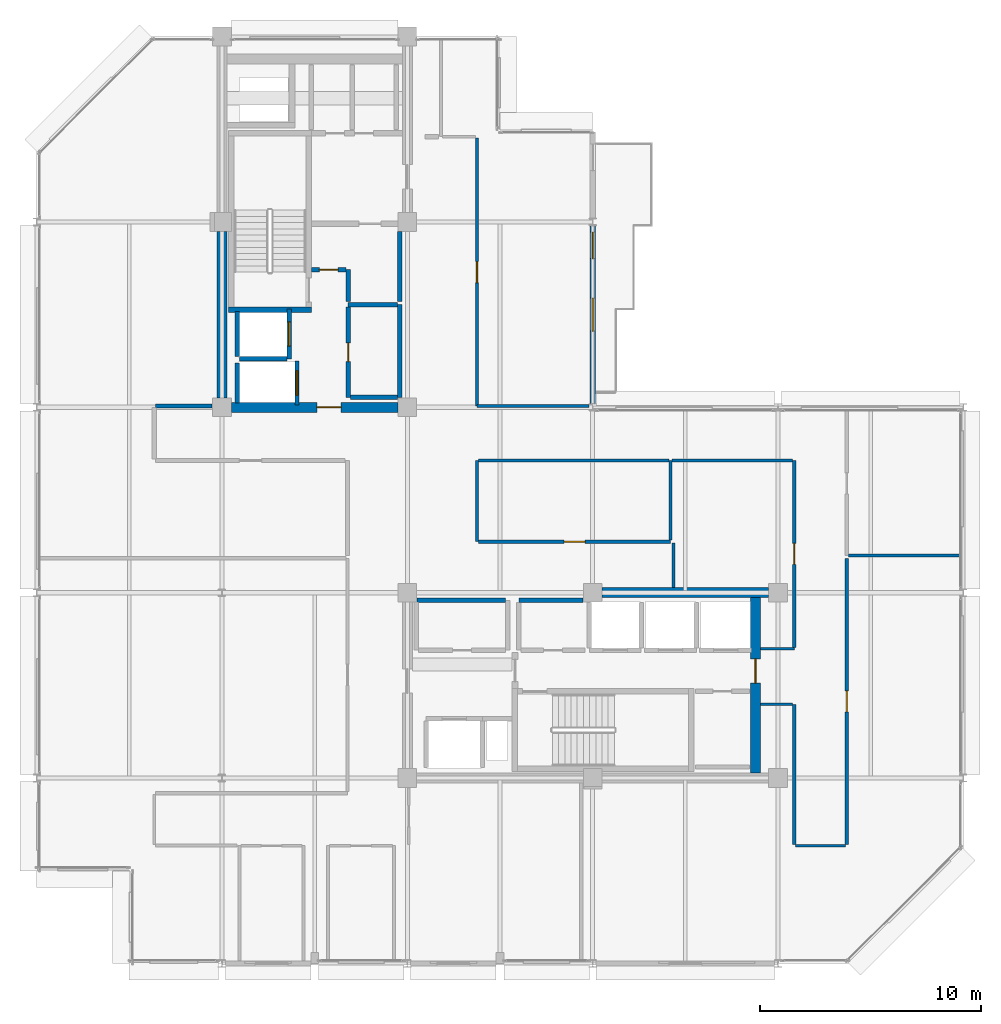
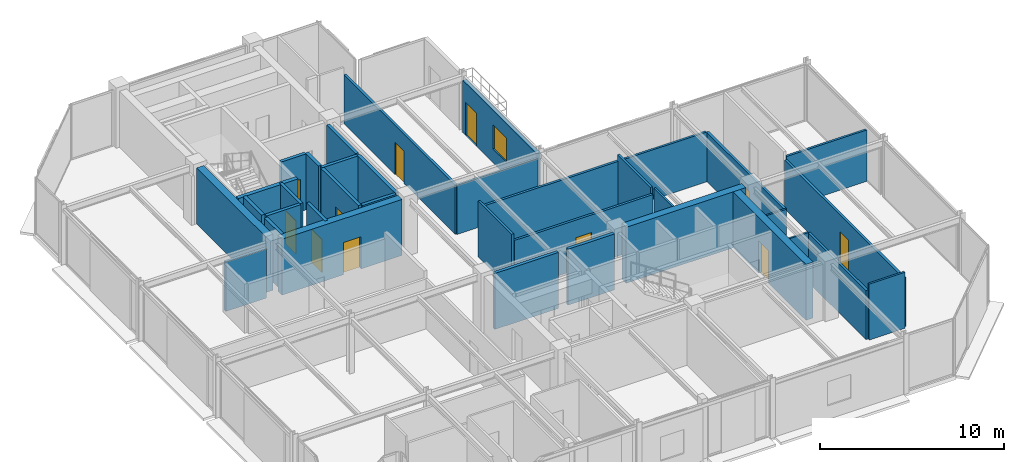
# One storey, part 22 of 27: 36 walls, 11 doors, 1 window, 12 openings.
"""IFC4 building model written with IfcOpenShell, lengths in metres."""

from ifc_helpers import new_model, si_unit, direction, frame, frame_2d, origin, place, context, subcontext, project, spatial, rectangle, extrude, material, layer, layer_set, type_object, element, fill, save


model = new_model("IFC4")

# Units and contexts
model_context = context("Model", 3, precision=1e-05, world=origin(), true_north=direction((0.0, 1.0)))
body_context = subcontext(model_context, "Body", "Model", "MODEL_VIEW")
ifc_project = project(units=[si_unit("LENGTHUNIT", "METRE"), si_unit("AREAUNIT", "SQUARE_METRE"), si_unit("VOLUMEUNIT", "CUBIC_METRE"), si_unit("PLANEANGLEUNIT", "RADIAN"), si_unit("MASSUNIT", "GRAM", prefix="KILO")], contexts=[model_context])

# Site, building, storey
site_placement = place(None, origin())
site = spatial("IfcSite", under=ifc_project, at=site_placement, CompositionType="ELEMENT")
building_placement = place(site_placement, origin())
building = spatial("IfcBuilding", under=site, at=building_placement, Name="Nerrivon Quay Data Exchange", CompositionType="ELEMENT")
storey_placement = place(building_placement, frame((0.0, 0.0, 254.199951171875)))
storey = spatial("IfcBuildingStorey", under=building, at=storey_placement, Name="L60", CompositionType="ELEMENT", Elevation=254.199951171875)

# Wall, openings, door, window
ifc_material_1 = material(Name="Architectural terracotta precast concrete N50 (50 MPa)", Category="masonry")
ifc_layer_1 = layer(ifc_material_1, 0.239990234375)
ifc_layer_set_1 = layer_set([ifc_layer_1], Name="Architectural terracotta precast concrete N50 (50 MPa)")
wall_type_1 = type_object("IfcWallType", Name="EW-PREC-240", PredefinedType="STANDARD", material=ifc_layer_set_1)
wall_1_placement = place(storey_placement, frame((25.199951171875, 33.4365234375, 0.0), z_axis=(0.0, 0.0, 1.0), x_axis=(0.0, -1.0, 0.0)))
wall_1 = element("IfcWall", 1, at=wall_1_placement, inside=storey, type_object=wall_type_1, Name="L60 Terrace Host Wall 23", PredefinedType="STANDARD", context=body_context, shape_type="SweptSolid", body=[
    extrude(rectangle(XDim=8.072998046875, YDim=0.239990234375, at=frame_2d((4.03662109375, 0.0))), origin(), (0.0, 0.0, 1.0), 3.47509765625),
])
opening_1_placement = place(wall_1_placement, frame((0.300048828125, 0.0, 0.0)))
opening_1 = element("IfcOpeningElement", 2, at=opening_1_placement, cuts=wall_1, Name="Opening TD1", PredefinedType="OPENING", context=body_context, shape_type="SweptSolid", body=[
    extrude(rectangle(XDim=1.199951171875, YDim=2.199951171875, at=frame_2d((0.60009765625, 1.10009765625))), frame((0.0, 0.1298828125, 0.0), z_axis=(0.0, -1.0, 0.0), x_axis=(1.0, 0.0, 0.0)), (0.0, 0.0, 1.0), 0.260009765625),
])
opening_2_placement = place(wall_1_placement, frame((3.28662109375, 0.0, 0.89990234375)))
opening_2 = element("IfcOpeningElement", 3, at=opening_2_placement, cuts=wall_1, Name="Opening WN4", PredefinedType="OPENING", context=body_context, shape_type="SweptSolid", body=[
    extrude(rectangle(XDim=1.5, YDim=1.60009765625, at=frame_2d((0.75, 0.800048828125))), frame((0.0, 0.1298828125, 0.0), z_axis=(0.0, -1.0, 0.0), x_axis=(1.0, 0.0, 0.0)), (0.0, 0.0, 1.0), 0.260009765625),
])
ifc_material_2 = material(Name="Double-glazed low-E solar control glass", Category="glass")
door_type_1 = type_object("IfcDoorType", Name="DR-TERR-1200x2200", OperationType="NOTDEFINED", PredefinedType="DOOR", material=ifc_material_2)
door_1_placement = place(opening_1_placement, origin())
door_1 = element("IfcDoor", 4, at=door_1_placement, inside=storey, type_object=door_type_1, Name="L60 Outdoor Terrace Access Door 23", OperationType="SINGLE_SWING_RIGHT", OverallHeight=2.199951171875, OverallWidth=1.199951171875, PredefinedType="DOOR", context=body_context, shape_type="SweptSolid", body=[
    extrude(rectangle(XDim=1.199951171875, YDim=2.199951171875, at=frame_2d((0.60009765625, 1.10009765625))), frame((0.0, 0.02490234375, 0.0), z_axis=(0.0, -1.0, 0.0), x_axis=(1.0, 0.0, 0.0)), (0.0, 0.0, 1.0), 0.050048828125),
])
fill(opening_1, door_1)
window_type = type_object("IfcWindowType", Name="WIN-W4-1500x1600", PartitioningType="SINGLE_PANEL", PredefinedType="WINDOW", material=ifc_material_2)
window_placement = place(opening_2_placement, origin())
window = element("IfcWindow", 5, at=window_placement, inside=storey, type_object=window_type, Name="L60 Terrace Side Window 23", OverallHeight=1.60009765625, OverallWidth=1.5, PartitioningType="SINGLE_PANEL", PredefinedType="WINDOW", context=body_context, shape_type="SweptSolid", body=[
    extrude(rectangle(XDim=1.5, YDim=1.60009765625, at=frame_2d((0.75, 0.800048828125))), frame((0.0, 0.030029296875, 0.0), z_axis=(0.0, -1.0, 0.0), x_axis=(1.0, 0.0, 0.0)), (0.0, 0.0, 1.0), 0.06005859375),
])
fill(opening_2, window)

# Wall
ifc_material_3 = material(Name="Concrete N50 (50 MPa)", Category="concrete")
ifc_layer_2 = layer(ifc_material_3, 0.449951171875)
ifc_layer_set_2 = layer_set([ifc_layer_2], Name="Concrete N50 (50 MPa)")
wall_type_2 = type_object("IfcWallType", Name="WALL-CW-550", PredefinedType="SHEAR", material=ifc_layer_set_2)
wall_2_placement = place(storey_placement, frame((8.39990234375, 25.625, 0.0), z_axis=(0.0, 0.0, 1.0), x_axis=(0.0, 1.0, 0.0)))
element("IfcWall", 6, at=wall_2_placement, inside=storey, type_object=wall_type_2, Name="L60 West Split-Core Shear Wall WCW-W1", PredefinedType="SHEAR", context=body_context, shape_type="SweptSolid", body=[
    extrude(rectangle(XDim=7.550048828125, YDim=0.449951171875, at=frame_2d((3.77490234375, 0.0))), origin(), (0.0, 0.0, 1.0), 3.72509765625),
])

# Wall, opening, door
wall_3_placement = place(storey_placement, frame((8.824951171875, 25.199951171875, 0.0), z_axis=(0.0, 0.0, 1.0), x_axis=(1.0, 0.0, 0.0)))
wall_3 = element("IfcWall", 7, at=wall_3_placement, inside=storey, type_object=wall_type_2, Name="L60 West Split-Core Shear Wall WCW-S1", PredefinedType="SHEAR", context=body_context, shape_type="SweptSolid", body=[
    extrude(rectangle(XDim=7.550048828125, YDim=0.449951171875, at=frame_2d((3.77490234375, 0.0))), origin(), (0.0, 0.0, 1.0), 3.72509765625),
])
opening_3_placement = place(wall_3_placement, frame((3.875, 0.0, 0.0)))
opening_3 = element("IfcOpeningElement", 8, at=opening_3_placement, cuts=wall_3, Name="Opening FD-120", PredefinedType="OPENING", context=body_context, shape_type="SweptSolid", body=[
    extrude(rectangle(XDim=1.10009765625, YDim=2.14990234375, at=frame_2d((0.550048828125, 1.074951171875))), frame((0.0, 0.23486328125, 0.0), z_axis=(0.0, -1.0, 0.0), x_axis=(1.0, 0.0, 0.0)), (0.0, 0.0, 1.0), 0.469970703125),
])
ifc_material_4 = material(Name="Powder-coated galvanized steel sheet", Category="steel")
door_type_2 = type_object("IfcDoorType", Name="DR-FD120-1100", OperationType="NOTDEFINED", PredefinedType="DOOR", material=ifc_material_4)
door_2_placement = place(opening_3_placement, origin())
door_2 = element("IfcDoor", 9, at=door_2_placement, inside=storey, type_object=door_type_2, Name="L60 West Core Lobby Fire Door", OperationType="SINGLE_SWING_RIGHT", OverallHeight=2.14990234375, OverallWidth=1.10009765625, PredefinedType="DOOR", context=body_context, shape_type="SweptSolid", body=[
    extrude(rectangle(XDim=1.10009765625, YDim=2.14990234375, at=frame_2d((0.550048828125, 1.074951171875))), frame((0.0, 0.02490234375, 0.0), z_axis=(0.0, -1.0, 0.0), x_axis=(1.0, 0.0, 0.0)), (0.0, 0.0, 1.0), 0.050048828125),
])
fill(opening_3, door_2)

wall_4_placement = place(storey_placement, frame((32.574951171875, 8.625, 0.0), z_axis=(0.0, 0.0, 1.0), x_axis=(0.0, 1.0, 0.0)))
wall_4 = element("IfcWall", 10, at=wall_4_placement, inside=storey, type_object=wall_type_2, Name="L60 East Split-Core Shear Wall ECW-E1", PredefinedType="SHEAR", context=body_context, shape_type="SweptSolid", body=[
    extrude(rectangle(XDim=7.949951171875, YDim=0.449951171875, at=frame_2d((3.97509765625, 0.0))), origin(), (0.0, 0.0, 1.0), 3.72509765625),
])
opening_4_placement = place(wall_4_placement, frame((4.074951171875, 0.0, 0.0)))
opening_4 = element("IfcOpeningElement", 11, at=opening_4_placement, cuts=wall_4, Name="Opening FD-120", PredefinedType="OPENING", context=body_context, shape_type="SweptSolid", body=[
    extrude(rectangle(XDim=1.10009765625, YDim=2.14990234375, at=frame_2d((0.550048828125, 1.074951171875))), frame((0.0, 0.23486328125, 0.0), z_axis=(0.0, -1.0, 0.0), x_axis=(1.0, 0.0, 0.0)), (0.0, 0.0, 1.0), 0.469970703125),
])
door_3_placement = place(opening_4_placement, origin())
door_3 = element("IfcDoor", 12, at=door_3_placement, inside=storey, type_object=door_type_2, Name="L60 East Core Lobby Fire Door", OperationType="SINGLE_SWING_LEFT", OverallHeight=2.14990234375, OverallWidth=1.10009765625, PredefinedType="DOOR", context=body_context, shape_type="SweptSolid", body=[
    extrude(rectangle(XDim=1.10009765625, YDim=2.14990234375, at=frame_2d((0.550048828125, 1.074951171875))), frame((0.0, 0.02490234375, 0.0), z_axis=(0.0, -1.0, 0.0), x_axis=(1.0, 0.0, 0.0)), (0.0, 0.0, 1.0), 0.050048828125),
])
fill(opening_4, door_3)

# Wall
wall_5_placement = place(storey_placement, frame((25.625, 16.800048828125, 0.0), z_axis=(0.0, 0.0, 1.0), x_axis=(1.0, 0.0, 0.0)))
element("IfcWall", 13, at=wall_5_placement, inside=storey, type_object=wall_type_2, Name="L60 East Split-Core Shear Wall ECW-N1", PredefinedType="SHEAR", context=body_context, shape_type="SweptSolid", body=[
    extrude(rectangle(XDim=7.550048828125, YDim=0.449951171875, at=frame_2d((3.77490234375, 0.0))), origin(), (0.0, 0.0, 1.0), 3.72509765625),
])

# Wall, opening, door
ifc_material_5 = material(Name="Gypsum plasterboard on cold-formed framing", Category="gypsum")
ifc_layer_3 = layer(ifc_material_5, 0.199951171875)
ifc_layer_set_3 = layer_set([ifc_layer_3], Name="Gypsum plasterboard on cold-formed framing")
wall_type_3 = type_object("IfcWallType", Name="WALL-FW-200", PredefinedType="PARTITIONING", material=ifc_layer_set_3)
wall_6_placement = place(storey_placement, frame((11.449951171875, 27.39990234375, 0.0), z_axis=(0.0, 0.0, 1.0), x_axis=(0.0, 1.0, 0.0)))
wall_6 = element("IfcWall", 14, at=wall_6_placement, inside=storey, type_object=wall_type_3, Name="L60 Lift Front Wall FFL-1", PredefinedType="PARTITIONING", context=body_context, shape_type="SweptSolid", body=[
    extrude(rectangle(XDim=2.25, YDim=0.199951171875, at=frame_2d((1.125, 0.0))), origin(), (0.0, 0.0, 1.0), 3.72509765625),
])
opening_5_placement = place(wall_6_placement, frame((0.574951171875, 0.0, 0.0)))
opening_5 = element("IfcOpeningElement", 15, at=opening_5_placement, cuts=wall_6, Name="Opening LD-120", PredefinedType="OPENING", context=body_context, shape_type="SweptSolid", body=[
    extrude(rectangle(XDim=1.10009765625, YDim=2.199951171875, at=frame_2d((0.550048828125, 1.10009765625))), frame((0.0, 0.10986328125, 0.0), z_axis=(0.0, -1.0, 0.0), x_axis=(1.0, 0.0, 0.0)), (0.0, 0.0, 1.0), 0.219970703125),
])
door_type_3 = type_object("IfcDoorType", Name="DR-LIFT-LD120", OperationType="DOUBLE_DOOR_SLIDING", PredefinedType="DOOR", material=ifc_material_4)
door_4_placement = place(opening_5_placement, origin())
door_4 = element("IfcDoor", 16, at=door_4_placement, inside=storey, type_object=door_type_3, Name="L60 Lift Landing Sliding Door FFL-1", OperationType="DOUBLE_DOOR_SLIDING", OverallHeight=2.199951171875, OverallWidth=1.10009765625, PredefinedType="DOOR", context=body_context, shape_type="SweptSolid", body=[
    extrude(rectangle(XDim=1.10009765625, YDim=2.199951171875, at=frame_2d((0.550048828125, 1.10009765625))), frame((0.0, 0.02490234375, 0.0), z_axis=(0.0, -1.0, 0.0), x_axis=(1.0, 0.0, 0.0)), (0.0, 0.0, 1.0), 0.050048828125),
])
fill(opening_5, door_4)

# Walls
wall_7_placement = place(storey_placement, frame((9.10009765625, 27.5, 0.0), z_axis=(0.0, 0.0, 1.0), x_axis=(0.0, 1.0, 0.0)))
element("IfcWall", 17, at=wall_7_placement, inside=storey, type_object=wall_type_3, Name="L60 Lift Shaft Wall FFL-1 WEST", PredefinedType="PARTITIONING", context=body_context, shape_type="SweptSolid", body=[
    extrude(rectangle(XDim=2.050048828125, YDim=0.199951171875, at=frame_2d((1.02490234375, 0.0))), origin(), (0.0, 0.0, 1.0), 3.72509765625),
])
wall_8_placement = place(storey_placement, frame((9.199951171875, 27.39990234375, 0.0), z_axis=(0.0, 0.0, 1.0), x_axis=(1.0, 0.0, 0.0)))
element("IfcWall", 18, at=wall_8_placement, inside=storey, type_object=wall_type_3, Name="L60 Lift Shaft Wall FFL-1 SOUTH", PredefinedType="PARTITIONING", context=body_context, shape_type="SweptSolid", body=[
    extrude(rectangle(XDim=2.150146484375, YDim=0.199951171875, at=frame_2d((1.0751953125, 0.0))), origin(), (0.0, 0.0, 1.0), 3.72509765625),
])

# Wall, opening, door
wall_9_placement = place(storey_placement, frame((11.800048828125, 25.300048828125, 0.0), z_axis=(0.0, 0.0, 1.0), x_axis=(0.0, 1.0, 0.0)))
wall_9 = element("IfcWall", 19, at=wall_9_placement, inside=storey, type_object=wall_type_3, Name="L60 Lift Front Wall SVL-1", PredefinedType="PARTITIONING", context=body_context, shape_type="SweptSolid", body=[
    extrude(rectangle(XDim=2.0, YDim=0.199951171875, at=frame_2d((1.0, 0.0))), origin(), (0.0, 0.0, 1.0), 3.72509765625),
])
opening_6_placement = place(wall_9_placement, frame((0.449951171875, 0.0, 0.0)))
opening_6 = element("IfcOpeningElement", 20, at=opening_6_placement, cuts=wall_9, Name="Opening LD-120", PredefinedType="OPENING", context=body_context, shape_type="SweptSolid", body=[
    extrude(rectangle(XDim=1.10009765625, YDim=2.199951171875, at=frame_2d((0.550048828125, 1.10009765625))), frame((0.0, 0.10986328125, 0.0), z_axis=(0.0, -1.0, 0.0), x_axis=(1.0, 0.0, 0.0)), (0.0, 0.0, 1.0), 0.219970703125),
])
door_5_placement = place(opening_6_placement, origin())
door_5 = element("IfcDoor", 21, at=door_5_placement, inside=storey, type_object=door_type_3, Name="L60 Lift Landing Sliding Door SVL-1", OperationType="DOUBLE_DOOR_SLIDING", OverallHeight=2.199951171875, OverallWidth=1.10009765625, PredefinedType="DOOR", context=body_context, shape_type="SweptSolid", body=[
    extrude(rectangle(XDim=1.10009765625, YDim=2.199951171875, at=frame_2d((0.550048828125, 1.10009765625))), frame((0.0, 0.02490234375, 0.0), z_axis=(0.0, -1.0, 0.0), x_axis=(1.0, 0.0, 0.0)), (0.0, 0.0, 1.0), 0.050048828125),
])
fill(opening_6, door_5)

# Walls
wall_10_placement = place(storey_placement, frame((9.10009765625, 25.39990234375, 0.0), z_axis=(0.0, 0.0, 1.0), x_axis=(0.0, 1.0, 0.0)))
element("IfcWall", 22, at=wall_10_placement, inside=storey, type_object=wall_type_3, Name="L60 Lift Shaft Wall SVL-1 WEST", PredefinedType="PARTITIONING", context=body_context, shape_type="SweptSolid", body=[
    extrude(rectangle(XDim=1.800048828125, YDim=0.199951171875, at=frame_2d((0.89990234375, 0.0))), origin(), (0.0, 0.0, 1.0), 3.72509765625),
])
wall_11_placement = place(storey_placement, frame((16.449951171875, 25.64990234375, 0.0), z_axis=(0.0, 0.0, 1.0), x_axis=(0.0, 1.0, 0.0)))
element("IfcWall", 23, at=wall_11_placement, inside=storey, type_object=wall_type_3, Name="L60 Partition Telemetry Hub Closet", PredefinedType="PARTITIONING", context=body_context, shape_type="SweptSolid", body=[
    extrude(rectangle(XDim=4.2001953125, YDim=0.199951171875, at=frame_2d((2.10009765625, 0.0))), origin(), (0.0, 0.0, 1.0), 3.72509765625),
])
wall_12_placement = place(storey_placement, frame((16.345947265625, 29.85009765625, 0.0), z_axis=(0.0, 0.0, 1.0), x_axis=(-1.0, 0.0, 0.0)))
element("IfcWall", 24, at=wall_12_placement, inside=storey, type_object=wall_type_3, Name="L60 Partition Telemetry Hub Closet", PredefinedType="PARTITIONING", context=body_context, shape_type="SweptSolid", body=[
    extrude(rectangle(XDim=2.225830078125, YDim=0.199951171875, at=frame_2d((1.11279296875, 0.0))), origin(), (0.0, 0.0, 1.0), 3.72509765625),
])

# Wall, opening, door
wall_13_placement = place(storey_placement, frame((14.1201171875, 29.74609375, 0.0), z_axis=(0.0, 0.0, 1.0), x_axis=(0.0, -1.0, 0.0)))
wall_13 = element("IfcWall", 25, at=wall_13_placement, inside=storey, type_object=wall_type_3, Name="L60 Partition Telemetry Hub Closet", PredefinedType="PARTITIONING", context=body_context, shape_type="SweptSolid", body=[
    extrude(rectangle(XDim=4.09619140625, YDim=0.199951171875, at=frame_2d((2.048095703125, 0.0))), origin(), (0.0, 0.0, 1.0), 3.72509765625),
])
opening_7_placement = place(wall_13_placement, frame((1.623046875, 0.0, 0.0)))
opening_7 = element("IfcOpeningElement", 26, at=opening_7_placement, cuts=wall_13, Name="Opening FD-60S", PredefinedType="OPENING", context=body_context, shape_type="SweptSolid", body=[
    extrude(rectangle(XDim=0.85009765625, YDim=2.14990234375, at=frame_2d((0.425048828125, 1.074951171875))), frame((0.0, 0.10986328125, 0.0), z_axis=(0.0, -1.0, 0.0), x_axis=(1.0, 0.0, 0.0)), (0.0, 0.0, 1.0), 0.219970703125),
])
ifc_material_6 = material(Name="Engineered hardwood timber", Category="wood")
door_type_4 = type_object("IfcDoorType", Name="DR-FD60-850", OperationType="NOTDEFINED", PredefinedType="DOOR", material=ifc_material_6)
door_6_placement = place(opening_7_placement, origin())
door_6 = element("IfcDoor", 27, at=door_6_placement, inside=storey, type_object=door_type_4, Name="L60 Door Telemetry Hub Closet", OperationType="SINGLE_SWING_LEFT", OverallHeight=2.14990234375, OverallWidth=0.85009765625, PredefinedType="DOOR", context=body_context, shape_type="SweptSolid", body=[
    extrude(rectangle(XDim=0.85009765625, YDim=2.14990234375, at=frame_2d((0.425048828125, 1.074951171875))), frame((0.0, 0.02490234375, 0.0), z_axis=(0.0, -1.0, 0.0), x_axis=(1.0, 0.0, 0.0)), (0.0, 0.0, 1.0), 0.050048828125),
])
fill(opening_7, door_6)

# Walls
wall_14_placement = place(storey_placement, frame((14.22412109375, 25.64990234375, 0.0), z_axis=(0.0, 0.0, 1.0), x_axis=(1.0, 0.0, 0.0)))
element("IfcWall", 28, at=wall_14_placement, inside=storey, type_object=wall_type_3, Name="L60 Partition Telemetry Hub Closet", PredefinedType="PARTITIONING", context=body_context, shape_type="SweptSolid", body=[
    extrude(rectangle(XDim=2.121826171875, YDim=0.199951171875, at=frame_2d((1.06103515625, 0.0))), origin(), (0.0, 0.0, 1.0), 3.72509765625),
])
wall_15_placement = place(storey_placement, frame((14.1201171875, 31.43994140625, 0.0), z_axis=(0.0, 0.0, 1.0), x_axis=(0.0, -1.0, 0.0)))
element("IfcWall", 29, at=wall_15_placement, inside=storey, type_object=wall_type_3, Name="L60 Partition Core Equipment Store", PredefinedType="PARTITIONING", context=body_context, shape_type="SweptSolid", body=[
    extrude(rectangle(XDim=1.43994140625, YDim=0.199951171875, at=frame_2d((0.719970703125, 0.0))), origin(), (0.0, 0.0, 1.0), 3.72509765625),
])
wall_16_placement = place(storey_placement, frame((16.449951171875, 30.0, 0.0), z_axis=(0.0, 0.0, 1.0), x_axis=(0.0, 1.0, 0.0)))
element("IfcWall", 30, at=wall_16_placement, inside=storey, type_object=wall_type_3, Name="L60 Partition Core Equipment Store", PredefinedType="PARTITIONING", context=body_context, shape_type="SweptSolid", body=[
    extrude(rectangle(XDim=3.169921875, YDim=0.199951171875, at=frame_2d((1.5849609375, 0.0))), origin(), (0.0, 0.0, 1.0), 3.72509765625),
])

# Wall, opening, door
wall_17_placement = place(storey_placement, frame((12.4541015625, 31.43994140625, 0.0), z_axis=(0.0, 0.0, 1.0), x_axis=(1.0, 0.0, 0.0)))
wall_17 = element("IfcWall", 31, at=wall_17_placement, inside=storey, type_object=wall_type_3, Name="L60 Partition Core Equipment Store", PredefinedType="PARTITIONING", context=body_context, shape_type="SweptSolid", body=[
    extrude(rectangle(XDim=1.56201171875, YDim=0.199951171875, at=frame_2d((0.781005859375, 0.0))), origin(), (0.0, 0.0, 1.0), 3.72509765625),
])
opening_8_placement = place(wall_17_placement, frame((0.35595703125, 0.0, 0.0)))
opening_8 = element("IfcOpeningElement", 32, at=opening_8_placement, cuts=wall_17, Name="Opening FD-60S", PredefinedType="OPENING", context=body_context, shape_type="SweptSolid", body=[
    extrude(rectangle(XDim=0.85009765625, YDim=2.14990234375, at=frame_2d((0.425048828125, 1.074951171875))), frame((0.0, 0.10986328125, 0.0), z_axis=(0.0, -1.0, 0.0), x_axis=(1.0, 0.0, 0.0)), (0.0, 0.0, 1.0), 0.219970703125),
])
door_7_placement = place(opening_8_placement, origin())
door_7 = element("IfcDoor", 33, at=door_7_placement, inside=storey, type_object=door_type_4, Name="L60 Door Core Equipment Store", OperationType="SINGLE_SWING_RIGHT", OverallHeight=2.14990234375, OverallWidth=0.85009765625, PredefinedType="DOOR", context=body_context, shape_type="SweptSolid", body=[
    extrude(rectangle(XDim=0.85009765625, YDim=2.14990234375, at=frame_2d((0.425048828125, 1.074951171875))), frame((0.0, 0.02490234375, 0.0), z_axis=(0.0, -1.0, 0.0), x_axis=(1.0, 0.0, 0.0)), (0.0, 0.0, 1.0), 0.050048828125),
])
fill(opening_8, door_7)

# Walls
wall_18_placement = place(storey_placement, frame((21.24609375, 16.449951171875, 0.0), z_axis=(0.0, 0.0, 1.0), x_axis=(-1.0, 0.0, 0.0)))
element("IfcWall", 34, at=wall_18_placement, inside=storey, type_object=wall_type_3, Name="L60 Partition High-Zone Optical Closet", PredefinedType="PARTITIONING", context=body_context, shape_type="SweptSolid", body=[
    extrude(rectangle(XDim=4.01611328125, YDim=0.199951171875, at=frame_2d((2.008056640625, 0.0))), origin(), (0.0, 0.0, 1.0), 3.72509765625),
])
wall_19_placement = place(storey_placement, frame((24.77001953125, 16.449951171875, 0.0), z_axis=(0.0, 0.0, 1.0), x_axis=(-1.0, 0.0, 0.0)))
element("IfcWall", 35, at=wall_19_placement, inside=storey, type_object=wall_type_3, Name="L60 Partition High-Zone Supply Store", PredefinedType="PARTITIONING", context=body_context, shape_type="SweptSolid", body=[
    extrude(rectangle(XDim=2.919921875, YDim=0.199951171875, at=frame_2d((1.4599609375, 0.0))), origin(), (0.0, 0.0, 1.0), 3.72509765625),
])
wall_20_placement = place(storey_placement, frame((5.39990234375, 25.260009765625, 0.0), z_axis=(0.0, 0.0, 1.0), x_axis=(1.0, 0.0, 0.0)))
element("IfcWall", 36, at=wall_20_placement, inside=storey, type_object=wall_type_3, Name="L60 Partition Colocation Data Workspace 1", PredefinedType="PARTITIONING", context=body_context, shape_type="SweptSolid", body=[
    extrude(rectangle(XDim=2.55517578125, YDim=0.199951171875, at=frame_2d((1.277587890625, 0.0))), origin(), (0.0, 0.0, 1.0), 3.27099609375),
])
ifc_layer_4 = layer(ifc_material_5, 0.1201171875)
ifc_layer_set_4 = layer_set([ifc_layer_4], Name="Gypsum plasterboard on cold-formed framing")
wall_type_4 = type_object("IfcWallType", Name="WALL-PT-120", PredefinedType="PARTITIONING", material=ifc_layer_set_4)
wall_21_placement = place(storey_placement, frame((28.860107421875, 19.050048828125, 0.0), z_axis=(0.0, 0.0, 1.0), x_axis=(0.0, -1.0, 0.0)))
element("IfcWall", 37, at=wall_21_placement, inside=storey, type_object=wall_type_4, Name="L60 Partition Shared Breakout Kitchenette", PredefinedType="PARTITIONING", context=body_context, shape_type="SweptSolid", body=[
    extrude(rectangle(XDim=2.02099609375, YDim=0.1201171875, at=frame_2d((1.010498046875, 0.0))), origin(), (0.0, 0.0, 1.0), 3.72509765625),
])
wall_22_placement = place(storey_placement, frame((32.803955078125, 14.260009765625, 0.0), z_axis=(0.0, 0.0, 1.0), x_axis=(1.0, 0.0, 0.0)))
element("IfcWall", 38, at=wall_22_placement, inside=storey, type_object=wall_type_4, Name="L60 Partition Shared Breakout Kitchenette", PredefinedType="PARTITIONING", context=body_context, shape_type="SweptSolid", body=[
    extrude(rectangle(XDim=1.5361328125, YDim=0.1201171875, at=frame_2d((0.76806640625, 0.0))), origin(), (0.0, 0.0, 1.0), 3.319091796875),
])
wall_23_placement = place(storey_placement, frame((36.64990234375, 5.340087890625, 0.0), z_axis=(0.0, 0.0, 1.0), x_axis=(-1.0, 0.0, 0.0)))
element("IfcWall", 39, at=wall_23_placement, inside=storey, type_object=wall_type_4, Name="L60 Partition Peering Day Lounge", PredefinedType="PARTITIONING", context=body_context, shape_type="SweptSolid", body=[
    extrude(rectangle(XDim=2.25, YDim=0.1201171875, at=frame_2d((1.125, 0.0))), origin(), (0.0, 0.0, 1.0), 3.72509765625),
])
wall_24_placement = place(storey_placement, frame((34.260986328125, 11.739990234375, 0.0), z_axis=(0.0, 0.0, 1.0), x_axis=(-1.0, 0.0, 0.0)))
element("IfcWall", 40, at=wall_24_placement, inside=storey, type_object=wall_type_4, Name="L60 Partition Peering Day Lounge", PredefinedType="PARTITIONING", context=body_context, shape_type="SweptSolid", body=[
    extrude(rectangle(XDim=1.45703125, YDim=0.1201171875, at=frame_2d((0.728515625, 0.0))), origin(), (0.0, 0.0, 1.0), 3.319091796875),
])
ifc_layer_5 = layer(ifc_material_5, 0.135009765625)
ifc_layer_set_5 = layer_set([ifc_layer_5], Name="Gypsum plasterboard on cold-formed framing")
wall_type_5 = type_object("IfcWallType", Name="WALL-PT-135", PredefinedType="PARTITIONING", material=ifc_layer_set_5)
wall_25_placement = place(storey_placement, frame((19.9599609375, 22.7900390625, 0.0), z_axis=(0.0, 0.0, 1.0), x_axis=(0.0, -1.0, 0.0)))
element("IfcWall", 41, at=wall_25_placement, inside=storey, type_object=wall_type_5, Name="L60 Partition Staff Pantry", PredefinedType="PARTITIONING", context=body_context, shape_type="SweptSolid", body=[
    extrude(rectangle(XDim=3.679931640625, YDim=0.135009765625, at=frame_2d((1.83984375, 0.0))), origin(), (0.0, 0.0, 1.0), 3.72509765625),
])
wall_26_placement = place(storey_placement, frame((28.731689453125, 19.18896484375, 0.0), z_axis=(0.0, 0.0, 1.0), x_axis=(0.0, 1.0, 0.0)))
element("IfcWall", 42, at=wall_26_placement, inside=storey, type_object=wall_type_5, Name="L60 Partition Staff Pantry", PredefinedType="PARTITIONING", context=body_context, shape_type="SweptSolid", body=[
    extrude(rectangle(XDim=3.60107421875, YDim=0.135009765625, at=frame_2d((1.800537109375, 0.0))), origin(), (0.0, 0.0, 1.0), 3.72509765625),
])
wall_27_placement = place(storey_placement, frame((34.260986328125, 22.7900390625, 0.0), z_axis=(0.0, 0.0, 1.0), x_axis=(-1.0, 0.0, 0.0)))
element("IfcWall", 43, at=wall_27_placement, inside=storey, type_object=wall_type_5, Name="L60 Partition Shared Breakout Kitchenette", PredefinedType="PARTITIONING", context=body_context, shape_type="SweptSolid", body=[
    extrude(rectangle(XDim=5.457763671875, YDim=0.135009765625, at=frame_2d((2.72900390625, 0.0))), origin(), (0.0, 0.0, 1.0), 3.319091796875),
])
wall_28_placement = place(storey_placement, frame((36.7890625, 18.474853515625, 0.0), z_axis=(0.0, 0.0, 1.0), x_axis=(1.0, 0.0, 0.0)))
element("IfcWall", 44, at=wall_28_placement, inside=storey, type_object=wall_type_5, Name="L60 Partition Engineers Lounge", PredefinedType="PARTITIONING", context=body_context, shape_type="SweptSolid", body=[
    extrude(rectangle(XDim=5.0419921875, YDim=0.135009765625, at=frame_2d((2.52099609375, 0.0))), origin(), (0.0, 0.0, 1.0), 3.421142578125),
])
wall_29_placement = place(storey_placement, frame((19.9599609375, 25.260009765625, 0.0), z_axis=(0.0, 0.0, 1.0), x_axis=(0.999999995352, -9.641342e-05, 0.0)))
element("IfcWall", 45, at=wall_29_placement, inside=storey, type_object=wall_type_5, Name="L60 Partition Engineers Lounge", PredefinedType="PARTITIONING", context=body_context, shape_type="SweptSolid", body=[
    extrude(rectangle(XDim=5.064453125, YDim=0.135009765625, at=frame_2d((2.5322265625, 0.0))), origin(), (0.0, 0.0, 1.0), 3.27099609375),
])

# Wall, opening, door
ifc_layer_6 = layer(ifc_material_5, 0.14990234375)
ifc_layer_set_6 = layer_set([ifc_layer_6], Name="Gypsum plasterboard on cold-formed framing")
wall_type_6 = type_object("IfcWallType", Name="WALL-PT-150", PredefinedType="PARTITIONING", material=ifc_layer_set_6)
wall_30_placement = place(storey_placement, frame((20.031494140625, 19.110107421875, 0.0), z_axis=(0.0, 0.0, 1.0), x_axis=(1.0, 0.0, 0.0)))
wall_30 = element("IfcWall", 46, at=wall_30_placement, inside=storey, type_object=wall_type_6, Name="L60 Partition Staff Pantry", PredefinedType="PARTITIONING", context=body_context, shape_type="SweptSolid", body=[
    extrude(rectangle(XDim=8.7001953125, YDim=0.14990234375, at=frame_2d((4.35009765625, 0.0))), origin(), (0.0, 0.0, 1.0), 3.319091796875),
])
opening_9_placement = place(wall_30_placement, frame((3.875, 0.0, 0.0)))
opening_9 = element("IfcOpeningElement", 47, at=opening_9_placement, cuts=wall_30, Name="Opening D-01", PredefinedType="OPENING", context=body_context, shape_type="SweptSolid", body=[
    extrude(rectangle(XDim=0.949951171875, YDim=2.14990234375, at=frame_2d((0.47509765625, 1.074951171875))), frame((0.0, 0.0849609375, 0.0), z_axis=(0.0, -1.0, 0.0), x_axis=(1.0, 0.0, 0.0)), (0.0, 0.0, 1.0), 0.169921875),
])
door_type_5 = type_object("IfcDoorType", Name="DR-INT-950", OperationType="NOTDEFINED", PredefinedType="DOOR", material=ifc_material_6)
door_8_placement = place(opening_9_placement, origin())
door_8 = element("IfcDoor", 48, at=door_8_placement, inside=storey, type_object=door_type_5, Name="L60 Door Staff Pantry", OperationType="SINGLE_SWING_RIGHT", OverallHeight=2.14990234375, OverallWidth=0.949951171875, PredefinedType="DOOR", context=body_context, shape_type="SweptSolid", body=[
    extrude(rectangle(XDim=0.949951171875, YDim=2.14990234375, at=frame_2d((0.47509765625, 1.074951171875))), frame((0.0, 0.02490234375, 0.0), z_axis=(0.0, -1.0, 0.0), x_axis=(1.0, 0.0, 0.0)), (0.0, 0.0, 1.0), 0.050048828125),
])
fill(opening_9, door_8)

# Wall
wall_31_placement = place(storey_placement, frame((28.660400390625, 22.7900390625, 0.0), z_axis=(0.0, 0.0, 1.0), x_axis=(-1.0, 0.0, 0.0)))
element("IfcWall", 49, at=wall_31_placement, inside=storey, type_object=wall_type_6, Name="L60 Partition Staff Pantry", PredefinedType="PARTITIONING", context=body_context, shape_type="SweptSolid", body=[
    extrude(rectangle(XDim=8.62890625, YDim=0.14990234375, at=frame_2d((4.314453125, 0.0))), origin(), (0.0, 0.0, 1.0), 3.319091796875),
])

# Wall, opening, door
wall_32_placement = place(storey_placement, frame((34.340087890625, 14.323974609375, 0.0), z_axis=(0.0, 0.0, 1.0), x_axis=(0.0, 1.0, 0.0)))
wall_32 = element("IfcWall", 50, at=wall_32_placement, inside=storey, type_object=wall_type_6, Name="L60 Partition Shared Breakout Kitchenette", PredefinedType="PARTITIONING", context=body_context, shape_type="SweptSolid", body=[
    extrude(rectangle(XDim=8.466064453125, YDim=0.14990234375, at=frame_2d((4.23291015625, 0.0))), origin(), (0.0, 0.0, 1.0), 3.27099609375),
])
opening_10_placement = place(wall_32_placement, frame((3.758056640625, 0.0, 0.0)))
opening_10 = element("IfcOpeningElement", 51, at=opening_10_placement, cuts=wall_32, Name="Opening D-01", PredefinedType="OPENING", context=body_context, shape_type="SweptSolid", body=[
    extrude(rectangle(XDim=0.949951171875, YDim=2.14990234375, at=frame_2d((0.47509765625, 1.074951171875))), frame((0.0, 0.0849609375, 0.0), z_axis=(0.0, -1.0, 0.0), x_axis=(1.0, 0.0, 0.0)), (0.0, 0.0, 1.0), 0.169921875),
])
door_9_placement = place(opening_10_placement, origin())
door_9 = element("IfcDoor", 52, at=door_9_placement, inside=storey, type_object=door_type_5, Name="L60 Door Shared Breakout Kitchenette", OperationType="SINGLE_SWING_LEFT", OverallHeight=2.14990234375, OverallWidth=0.949951171875, PredefinedType="DOOR", context=body_context, shape_type="SweptSolid", body=[
    extrude(rectangle(XDim=0.949951171875, YDim=2.14990234375, at=frame_2d((0.47509765625, 1.074951171875))), frame((0.0, 0.02490234375, 0.0), z_axis=(0.0, -1.0, 0.0), x_axis=(1.0, 0.0, 0.0)), (0.0, 0.0, 1.0), 0.050048828125),
])
fill(opening_10, door_9)

wall_33_placement = place(storey_placement, frame((19.9599609375, 37.39990234375, 0.0), z_axis=(0.0, 0.0, 1.0), x_axis=(0.0, -1.0, 0.0)))
wall_33 = element("IfcWall", 53, at=wall_33_placement, inside=storey, type_object=wall_type_6, Name="L60 Partition Engineers Lounge", PredefinedType="PARTITIONING", context=body_context, shape_type="SweptSolid", body=[
    extrude(rectangle(XDim=12.139892578125, YDim=0.14990234375, at=frame_2d((6.06982421875, 0.0))), origin(), (0.0, 0.0, 1.0), 3.27099609375),
])
opening_11_placement = place(wall_33_placement, frame((5.594970703125, 0.0, 0.0)))
opening_11 = element("IfcOpeningElement", 54, at=opening_11_placement, cuts=wall_33, Name="Opening D-01", PredefinedType="OPENING", context=body_context, shape_type="SweptSolid", body=[
    extrude(rectangle(XDim=0.949951171875, YDim=2.14990234375, at=frame_2d((0.47509765625, 1.074951171875))), frame((0.0, 0.0849609375, 0.0), z_axis=(0.0, -1.0, 0.0), x_axis=(1.0, 0.0, 0.0)), (0.0, 0.0, 1.0), 0.169921875),
])
door_10_placement = place(opening_11_placement, origin())
door_10 = element("IfcDoor", 55, at=door_10_placement, inside=storey, type_object=door_type_5, Name="L60 Door Engineers Lounge", OperationType="SINGLE_SWING_RIGHT", OverallHeight=2.14990234375, OverallWidth=0.949951171875, PredefinedType="DOOR", context=body_context, shape_type="SweptSolid", body=[
    extrude(rectangle(XDim=0.949951171875, YDim=2.14990234375, at=frame_2d((0.47509765625, 1.074951171875))), frame((0.0, 0.02490234375, 0.0), z_axis=(0.0, -1.0, 0.0), x_axis=(1.0, 0.0, 0.0)), (0.0, 0.0, 1.0), 0.050048828125),
])
fill(opening_11, door_10)

wall_34_placement = place(storey_placement, frame((36.7099609375, 18.354736328125, 0.0), z_axis=(0.0, 0.0, 1.0), x_axis=(0.0, -1.0, 0.0)))
wall_34 = element("IfcWall", 56, at=wall_34_placement, inside=storey, type_object=wall_type_6, Name="L60 Partition Peering Day Lounge", PredefinedType="PARTITIONING", context=body_context, shape_type="SweptSolid", body=[
    extrude(rectangle(XDim=12.954833984375, YDim=0.14990234375, at=frame_2d((6.4775390625, 0.0))), origin(), (0.0, 0.0, 1.0), 3.27099609375),
])
opening_12_placement = place(wall_34_placement, frame((6.00244140625, 0.0, 0.0)))
opening_12 = element("IfcOpeningElement", 57, at=opening_12_placement, cuts=wall_34, Name="Opening D-01", PredefinedType="OPENING", context=body_context, shape_type="SweptSolid", body=[
    extrude(rectangle(XDim=0.949951171875, YDim=2.14990234375, at=frame_2d((0.47509765625, 1.074951171875))), frame((0.0, 0.0849609375, 0.0), z_axis=(0.0, -1.0, 0.0), x_axis=(1.0, 0.0, 0.0)), (0.0, 0.0, 1.0), 0.169921875),
])
door_11_placement = place(opening_12_placement, origin())
door_11 = element("IfcDoor", 58, at=door_11_placement, inside=storey, type_object=door_type_5, Name="L60 Door Peering Day Lounge", OperationType="SINGLE_SWING_LEFT", OverallHeight=2.14990234375, OverallWidth=0.949951171875, PredefinedType="DOOR", context=body_context, shape_type="SweptSolid", body=[
    extrude(rectangle(XDim=0.949951171875, YDim=2.14990234375, at=frame_2d((0.47509765625, 1.074951171875))), frame((0.0, 0.02490234375, 0.0), z_axis=(0.0, -1.0, 0.0), x_axis=(1.0, 0.0, 0.0)), (0.0, 0.0, 1.0), 0.050048828125),
])
fill(opening_12, door_11)

# Walls
wall_35_placement = place(storey_placement, frame((34.340087890625, 5.39990234375, 0.0), z_axis=(0.0, 0.0, 1.0), x_axis=(0.0, 1.0, 0.0)))
element("IfcWall", 59, at=wall_35_placement, inside=storey, type_object=wall_type_6, Name="L60 Partition Peering Day Lounge", PredefinedType="PARTITIONING", context=body_context, shape_type="SweptSolid", body=[
    extrude(rectangle(XDim=6.340087890625, YDim=0.14990234375, at=frame_2d((3.169921875, 0.0))), origin(), (0.0, 0.0, 1.0), 3.27099609375),
])
ifc_layer_7 = layer(ifc_material_3, 0.25)
ifc_layer_set_7 = layer_set([ifc_layer_7], Name="Concrete N50 (50 MPa)")
wall_type_7 = type_object("IfcWallType", Name="WALL-SW-250", PredefinedType="SHEAR", material=ifc_layer_set_7)
wall_36_placement = place(storey_placement, frame((12.449951171875, 29.625, 0.0), z_axis=(0.0, 0.0, 1.0), x_axis=(-1.0, 0.0, 0.0)))
element("IfcWall", 60, at=wall_36_placement, inside=storey, type_object=wall_type_7, Name="L60 ST01 Structural Stair Core Wall NEAR", PredefinedType="SHEAR", context=body_context, shape_type="SweptSolid", body=[
    extrude(rectangle(XDim=3.75, YDim=0.25, at=frame_2d((1.875, 0.0))), origin(), (0.0, 0.0, 1.0), 3.72509765625),
])

save(model, "model.ifc")
